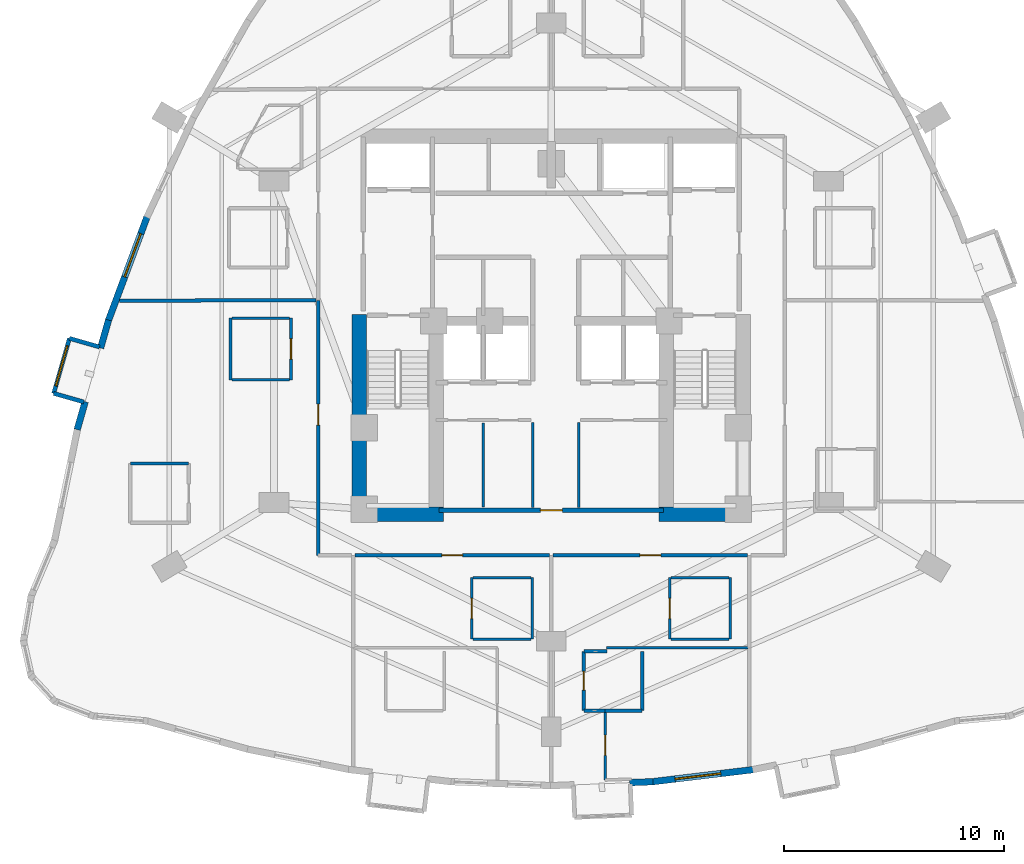
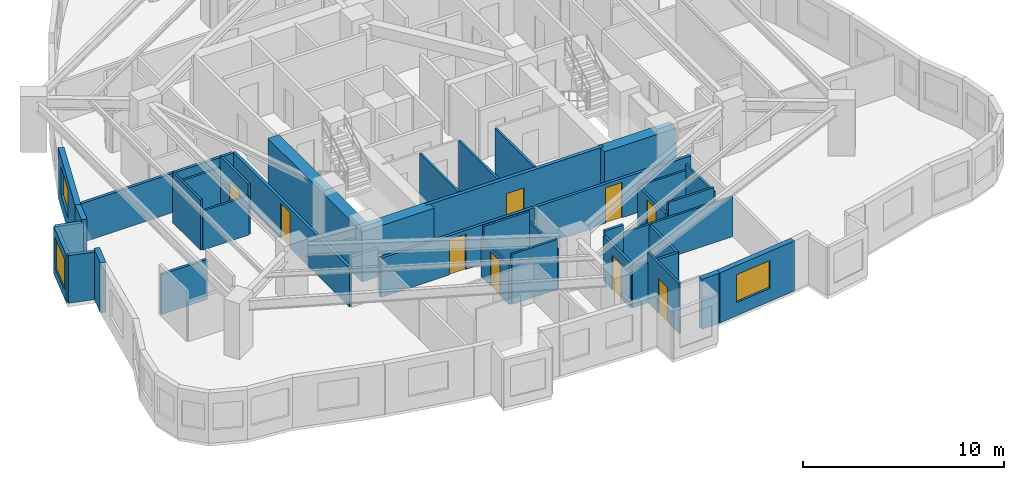
# One storey, part 7 of 13: 39 walls, 9 doors, 3 windows, 12 openings.
"""IFC4 building model written with IfcOpenShell, lengths in metres."""

from ifc_helpers import new_model, si_unit, direction, frame, frame_2d, origin, place, context, subcontext, project, spatial, rectangle, extrude, material, layer, layer_set, type_object, element, fill, save


model = new_model("IFC4")

# Units and contexts
model_context = context("Model", 3, precision=1e-05, world=origin(), true_north=direction((0.0, 1.0)))
body_context = subcontext(model_context, "Body", "Model", "MODEL_VIEW")
ifc_project = project(units=[si_unit("LENGTHUNIT", "METRE"), si_unit("AREAUNIT", "SQUARE_METRE"), si_unit("VOLUMEUNIT", "CUBIC_METRE"), si_unit("PLANEANGLEUNIT", "RADIAN"), si_unit("MASSUNIT", "GRAM", prefix="KILO")], contexts=[model_context])

# Site, building, storey
site_placement = place(None, origin())
site = spatial("IfcSite", under=ifc_project, at=site_placement, CompositionType="ELEMENT")
building_placement = place(site_placement, origin())
building = spatial("IfcBuilding", under=site, at=building_placement, Name="Miruveldt Soraemaru", CompositionType="ELEMENT")
storey_placement = place(building_placement, frame((0.0, 0.0, 87.0)))
storey = spatial("IfcBuildingStorey", under=building, at=storey_placement, Name="L24", CompositionType="ELEMENT", Elevation=87.0)

# Walls
ifc_material_1 = material(Name="White powder-coated aluminium EN AW-6060 T6", Category="aluminium")
ifc_layer_1 = layer(ifc_material_1, 0.18994140625, Name="White powder-coated aluminium EN AW-6060 T6", Category="aluminium")
ifc_layer_set_1 = layer_set([ifc_layer_1], Name="White powder-coated aluminium EN AW-6060 T6")
wall_type_1 = type_object("IfcWallType", Name="WALL-BAY-ALU190", PredefinedType="SOLIDWALL", material=ifc_layer_set_1)
for number, where, z_axis, x_axis, name in (
    (1, (23.470703125, 42.86962890625, 0.0), (0.0, 0.0, 1.0), (-0.961452801096, 0.274970018845, 0.0), "L24 Bay Window Side Cheek 1L"),
    (2, (21.3857421875, 40.76171875, 0.0), (0.0, 0.0, 1.0), (0.961452801096, -0.274970018845, 0.0), "L24 Bay Window Side Cheek 1R"),
):
    element("IfcWall", number, at=place(storey_placement, frame(where, z_axis=z_axis, x_axis=x_axis)), inside=storey, type_object=wall_type_1, Name=name, PredefinedType="SOLIDWALL", context=body_context, shape_type="SweptSolid", body=[
        extrude(rectangle(XDim=1.425048828125, YDim=0.18994140625, at=frame_2d((0.71240234375, 0.0))), origin(), (0.0, 0.0, 1.0), 2.89990234375),
    ])

# Wall, opening, window
wall_1_placement = place(storey_placement, frame((22.1005859375, 43.261474609375, 0.0), z_axis=(0.0, 0.0, 1.0), x_axis=(-0.274944358644, -0.961460139397, 0.0)))
wall_1 = element("IfcWall", 3, at=wall_1_placement, inside=storey, type_object=wall_type_1, Name="L24 Bay Window Front Frame 1", PredefinedType="SOLIDWALL", context=body_context, shape_type="SweptSolid", body=[
    extrude(rectangle(XDim=2.599853515625, YDim=0.18994140625, at=frame_2d((1.2998046875, 0.0))), origin(), (0.0, 0.0, 1.0), 2.89990234375),
])
opening_1_placement = place(wall_1_placement, frame((0.35009765625, 0.0, 0.550048828125)))
opening_1 = element("IfcOpeningElement", 4, at=opening_1_placement, cuts=wall_1, Name="Opening WN-6", PredefinedType="OPENING", context=body_context, shape_type="SweptSolid", body=[
    extrude(rectangle(XDim=1.89990234375, YDim=1.85009765625, at=frame_2d((0.949951171875, 0.925048828125))), frame((0.0, 0.10498046875, 0.0), z_axis=(0.0, -1.0, 0.0), x_axis=(1.0, 0.0, 0.0)), (0.0, 0.0, 1.0), 0.2099609375),
])
ifc_material_2 = material(Name="Triple low-e insulated glazing", Category="glass")
window_type_1 = type_object("IfcWindowType", Name="WIN-BAYW-1900x1850", PartitioningType="SINGLE_PANEL", PredefinedType="WINDOW", material=ifc_material_2)
window_1_placement = place(opening_1_placement, origin())
window_1 = element("IfcWindow", 5, at=window_1_placement, inside=storey, type_object=window_type_1, Name="L24 Projecting Bay Window 1", OverallHeight=1.85009765625, OverallWidth=1.89990234375, PartitioningType="SINGLE_PANEL", PredefinedType="WINDOW", context=body_context, shape_type="SweptSolid", body=[
    extrude(rectangle(XDim=1.89990234375, YDim=1.85009765625, at=frame_2d((0.949951171875, 0.925048828125))), frame((0.0, 0.030029296875, 0.0), z_axis=(0.0, -1.0, 0.0), x_axis=(1.0, 0.0, 0.0)), (0.0, 0.0, 1.0), 0.06005859375),
])
fill(opening_1, window_1)

# Walls
ifc_material_3 = material(Name="Concrete C80/95 (80 MPa)", Category="concrete")
ifc_layer_2 = layer(ifc_material_3, 0.64990234375, Name="Concrete C80/95 (80 MPa)", Category="concrete")
ifc_layer_set_2 = layer_set([ifc_layer_2], Name="Concrete C80/95 (80 MPa)")
wall_type_2 = type_object("IfcWallType", Name="WALL-CW-650", PredefinedType="SHEAR", material=ifc_layer_set_2)
for number, where, z_axis, x_axis, name in (
    (6, (34.949951171875, 35.27490234375, 0.0), (0.0, 0.0, 1.0), (1.0, 0.0, 0.0), "L24 Central Core Shear Wall S1"),
    (7, (48.89990234375, 35.27490234375, 0.0), (0.0, 0.0, 1.0), (1.0, 0.0, 0.0), "L24 Central Core Shear Wall S2"),
):
    element("IfcWall", number, at=place(storey_placement, frame(where, z_axis=z_axis, x_axis=x_axis)), inside=storey, type_object=wall_type_2, Name=name, PredefinedType="SHEAR", context=body_context, shape_type="SweptSolid", body=[
        extrude(rectangle(XDim=4.150146484375, YDim=0.64990234375, at=frame_2d((2.0751953125, 0.0))), origin(), (0.0, 0.0, 1.0), 3.050048828125),
    ])
wall_2_placement = place(storey_placement, frame((35.27490234375, 34.949951171875, 0.0), z_axis=(0.0, 0.0, 1.0), x_axis=(0.0, 1.0, 0.0)))
element("IfcWall", 8, at=wall_2_placement, inside=storey, type_object=wall_type_2, Name="L24 Central Core Shear Wall W1", PredefinedType="SHEAR", context=body_context, shape_type="SweptSolid", body=[
    extrude(rectangle(XDim=9.400146484375, YDim=0.64990234375, at=frame_2d((4.7001953125, 0.0))), origin(), (0.0, 0.0, 1.0), 3.050048828125),
])

# Wall, opening, window
ifc_material_4 = material(Name="Precast concrete C45/55 (45 MPa)", Category="concrete")
ifc_layer_3 = layer(ifc_material_4, 0.300048828125, Name="Precast concrete C45/55 (45 MPa)", Category="concrete")
ifc_layer_set_3 = layer_set([ifc_layer_3], Name="Precast concrete C45/55 (45 MPa)")
wall_type_3 = type_object("IfcWallType", Name="WALL-EXT-PC300", PredefinedType="SOLIDWALL", material=ifc_layer_set_3)
wall_3_placement = place(storey_placement, frame((25.64208984375, 48.822998046875, 0.0), z_axis=(0.0, 0.0, 1.0), x_axis=(-0.349004677573, -0.937120982068, 0.0)))
wall_3 = element("IfcWall", 9, at=wall_3_placement, inside=storey, type_object=wall_type_3, Name="L24 Precast Concrete Facade Wall 12", PredefinedType="SOLIDWALL", context=body_context, shape_type="SweptSolid", body=[
    extrude(rectangle(XDim=5.116455078125, YDim=0.300048828125, at=frame_2d((2.55810546875, 0.0))), origin(), (0.0, 0.0, 1.0), 3.050048828125),
])
opening_2_placement = place(wall_3_placement, frame((0.85400390625, 0.0, 0.800048828125)))
opening_2 = element("IfcOpeningElement", 10, at=opening_2_placement, cuts=wall_3, Name="Opening WN-1", PredefinedType="OPENING", context=body_context, shape_type="SweptSolid", body=[
    extrude(rectangle(XDim=2.10009765625, YDim=1.699951171875, at=frame_2d((1.050048828125, 0.85009765625))), frame((0.0, 0.16015625, 0.0), z_axis=(0.0, -1.0, 0.0), x_axis=(1.0, 0.0, 0.0)), (0.0, 0.0, 1.0), 0.320068359375),
])
window_type_2 = type_object("IfcWindowType", Name="WIN-PUNCH-2100x1700", PartitioningType="SINGLE_PANEL", PredefinedType="WINDOW", material=ifc_material_2)
window_2_placement = place(opening_2_placement, origin())
window_2 = element("IfcWindow", 11, at=window_2_placement, inside=storey, type_object=window_type_2, Name="L24 Punched Triple-Glazed Window 12.1", OverallHeight=1.699951171875, OverallWidth=2.10009765625, PartitioningType="SINGLE_PANEL", PredefinedType="WINDOW", context=body_context, shape_type="SweptSolid", body=[
    extrude(rectangle(XDim=2.10009765625, YDim=1.699951171875, at=frame_2d((1.050048828125, 0.85009765625))), frame((0.0, 0.030029296875, 0.0), z_axis=(0.0, -1.0, 0.0), x_axis=(1.0, 0.0, 0.0)), (0.0, 0.0, 1.0), 0.06005859375),
])
fill(opening_2, window_2)

# Walls
wall_4_placement = place(storey_placement, frame((23.87841796875, 44.0947265625, 0.0), z_axis=(0.0, 0.0, 1.0), x_axis=(-0.275038689403, -0.961433159056, 0.0)))
element("IfcWall", 12, at=wall_4_placement, inside=storey, type_object=wall_type_3, Name="L24 Precast Pier Wall 13A", PredefinedType="SOLIDWALL", context=body_context, shape_type="SweptSolid", body=[
    extrude(rectangle(XDim=1.320068359375, YDim=0.300048828125, at=frame_2d((0.66015625, 0.0))), origin(), (0.0, 0.0, 1.0), 3.050048828125),
])
wall_5_placement = place(storey_placement, frame((22.81689453125, 40.383544921875, 0.0), z_axis=(0.0, 0.0, 1.0), x_axis=(-0.274867705924, -0.96148205612, 0.0)))
element("IfcWall", 13, at=wall_5_placement, inside=storey, type_object=wall_type_3, Name="L24 Precast Pier Wall 13B", PredefinedType="SOLIDWALL", context=body_context, shape_type="SweptSolid", body=[
    extrude(rectangle(XDim=1.31982421875, YDim=0.300048828125, at=frame_2d((0.659912109375, 0.0))), origin(), (0.0, 0.0, 1.0), 3.050048828125),
])
wall_6_placement = place(storey_placement, frame((47.564697265625, 23.071533203125, 0.0), z_axis=(0.0, 0.0, 1.0), x_axis=(0.99920059166, 0.039977213831, 0.0)))
element("IfcWall", 14, at=wall_6_placement, inside=storey, type_object=wall_type_3, Name="L24 Precast Pier Wall 25B", PredefinedType="SOLIDWALL", context=body_context, shape_type="SweptSolid", body=[
    extrude(rectangle(XDim=1.0625, YDim=0.300048828125, at=frame_2d((0.53125, 0.0))), origin(), (0.0, 0.0, 1.0), 3.050048828125),
])

# Wall, opening, window
wall_7_placement = place(storey_placement, frame((48.556640625, 23.1083984375, 0.0), z_axis=(0.0, 0.0, 1.0), x_axis=(0.992871670175, 0.11918828199, 0.0)))
wall_7 = element("IfcWall", 15, at=wall_7_placement, inside=storey, type_object=wall_type_3, Name="L24 Precast Concrete Facade Wall 26", PredefinedType="SOLIDWALL", context=body_context, shape_type="SweptSolid", body=[
    extrude(rectangle(XDim=4.69482421875, YDim=0.300048828125, at=frame_2d((2.347412109375, 0.0))), origin(), (0.0, 0.0, 1.0), 3.050048828125),
])
opening_3_placement = place(wall_7_placement, frame((1.072998046875, 0.0, 0.800048828125)))
opening_3 = element("IfcOpeningElement", 16, at=opening_3_placement, cuts=wall_7, Name="Opening WN-1", PredefinedType="OPENING", context=body_context, shape_type="SweptSolid", body=[
    extrude(rectangle(XDim=2.10009765625, YDim=1.699951171875, at=frame_2d((1.050048828125, 0.85009765625))), frame((0.0, 0.16015625, 0.0), z_axis=(0.0, -1.0, 0.0), x_axis=(1.0, 0.0, 0.0)), (0.0, 0.0, 1.0), 0.320068359375),
])
window_3_placement = place(opening_3_placement, origin())
window_3 = element("IfcWindow", 17, at=window_3_placement, inside=storey, type_object=window_type_2, Name="L24 Punched Triple-Glazed Window 26.1", OverallHeight=1.699951171875, OverallWidth=2.10009765625, PartitioningType="SINGLE_PANEL", PredefinedType="WINDOW", context=body_context, shape_type="SweptSolid", body=[
    extrude(rectangle(XDim=2.10009765625, YDim=1.699951171875, at=frame_2d((1.050048828125, 0.85009765625))), frame((0.0, 0.030029296875, 0.0), z_axis=(0.0, -1.0, 0.0), x_axis=(1.0, 0.0, 0.0)), (0.0, 0.0, 1.0), 0.06005859375),
])
fill(opening_3, window_3)

# Wall, opening, door
ifc_material_5 = material(Name="Gypsum plasterboard lining", Category="gypsum")
ifc_layer_4 = layer(ifc_material_5, 0.1201171875, Name="Gypsum plasterboard lining", Category="gypsum")
ifc_layer_set_4 = layer_set([ifc_layer_4], Name="Gypsum plasterboard lining")
wall_type_4 = type_object("IfcWallType", Name="WALL-INT-P120", PredefinedType="PARTITIONING", material=ifc_layer_set_4)
wall_8_placement = place(storey_placement, frame((46.447021484375, 23.19189453125, 0.0), z_axis=(0.0, 0.0, 1.0), x_axis=(0.000930304272, 0.999999567267, 0.0)))
wall_8 = element("IfcWall", 18, at=wall_8_placement, inside=storey, type_object=wall_type_4, Name="L24 Partition Wall 89", PredefinedType="PARTITIONING", context=body_context, shape_type="SweptSolid", body=[
    extrude(rectangle(XDim=3.149169921875, YDim=0.1201171875, at=frame_2d((1.57470703125, 0.0))), origin(), (0.0, 0.0, 1.0), 3.050048828125),
])
opening_4_placement = place(wall_8_placement, frame((1.114990234375, 0.0, 0.0)))
opening_4 = element("IfcOpeningElement", 19, at=opening_4_placement, cuts=wall_8, Name="Opening D3A", PredefinedType="OPENING", context=body_context, shape_type="SweptSolid", body=[
    extrude(rectangle(XDim=0.919921875, YDim=2.10009765625, at=frame_2d((0.4599609375, 1.050048828125))), frame((0.0, 0.070068359375, 0.0), z_axis=(0.0, -1.0, 0.0), x_axis=(1.0, 0.0, 0.0)), (0.0, 0.0, 1.0), 0.14013671875),
])
ifc_material_6 = material(Name="Anodised aluminium EN AW-6063 T6", Category="aluminium")
door_type_1 = type_object("IfcDoorType", Name="DOOR-INT-920", OperationType="NOTDEFINED", PredefinedType="DOOR", material=ifc_material_6)
door_1_placement = place(opening_4_placement, origin())
door_1 = element("IfcDoor", 20, at=door_1_placement, inside=storey, type_object=door_type_1, Name="L24 Unit 2411 BD1 Door", OperationType="SINGLE_SWING_LEFT", OverallHeight=2.10009765625, OverallWidth=0.919921875, PredefinedType="DOOR", context=body_context, shape_type="SweptSolid", body=[
    extrude(rectangle(XDim=0.919921875, YDim=2.10009765625, at=frame_2d((0.4599609375, 1.050048828125))), frame((0.0, 0.02490234375, 0.0), z_axis=(0.0, -1.0, 0.0), x_axis=(1.0, 0.0, 0.0)), (0.0, 0.0, 1.0), 0.050048828125),
])
fill(opening_4, door_1)

wall_9_placement = place(storey_placement, frame((32.1708984375, 41.3798828125, 0.0), z_axis=(0.0, 0.0, 1.0), x_axis=(0.0, 1.0, 0.0)))
wall_9 = element("IfcWall", 21, at=wall_9_placement, inside=storey, type_object=wall_type_4, Name="L24 Partition Wall 54", PredefinedType="PARTITIONING", context=body_context, shape_type="SweptSolid", body=[
    extrude(rectangle(XDim=2.800048828125, YDim=0.1201171875, at=frame_2d((1.39990234375, 0.0))), origin(), (0.0, 0.0, 1.0), 3.050048828125),
])
opening_5_placement = place(wall_9_placement, frame((0.93994140625, 0.0, 0.0)))
opening_5 = element("IfcOpeningElement", 22, at=opening_5_placement, cuts=wall_9, Name="Opening D3A", PredefinedType="OPENING", context=body_context, shape_type="SweptSolid", body=[
    extrude(rectangle(XDim=0.919921875, YDim=2.10009765625, at=frame_2d((0.4599609375, 1.050048828125))), frame((0.0, 0.070068359375, 0.0), z_axis=(0.0, -1.0, 0.0), x_axis=(1.0, 0.0, 0.0)), (0.0, 0.0, 1.0), 0.14013671875),
])
door_2_placement = place(opening_5_placement, origin())
door_2 = element("IfcDoor", 23, at=door_2_placement, inside=storey, type_object=door_type_1, Name="L24 Unit CL06 KIT Door", OperationType="SINGLE_SWING_LEFT", OverallHeight=2.10009765625, OverallWidth=0.919921875, PredefinedType="DOOR", context=body_context, shape_type="SweptSolid", body=[
    extrude(rectangle(XDim=0.919921875, YDim=2.10009765625, at=frame_2d((0.4599609375, 1.050048828125))), frame((0.0, 0.02490234375, 0.0), z_axis=(0.0, -1.0, 0.0), x_axis=(1.0, 0.0, 0.0)), (0.0, 0.0, 1.0), 0.050048828125),
])
fill(opening_5, door_2)

wall_10_placement = place(storey_placement, frame((40.3798828125, 32.39111328125, 0.0), z_axis=(0.0, 0.0, 1.0), x_axis=(0.0, -1.0, 0.0)))
wall_10 = element("IfcWall", 24, at=wall_10_placement, inside=storey, type_object=wall_type_4, Name="L24 Partition Wall 75", PredefinedType="PARTITIONING", context=body_context, shape_type="SweptSolid", body=[
    extrude(rectangle(XDim=2.800048828125, YDim=0.1201171875, at=frame_2d((1.39990234375, 0.0))), origin(), (0.0, 0.0, 1.0), 2.387939453125),
])
opening_6_placement = place(wall_10_placement, frame((0.93994140625, 0.0, 0.0)))
opening_6 = element("IfcOpeningElement", 25, at=opening_6_placement, cuts=wall_10, Name="Opening D3A", PredefinedType="OPENING", context=body_context, shape_type="SweptSolid", body=[
    extrude(rectangle(XDim=0.919921875, YDim=2.10009765625, at=frame_2d((0.4599609375, 1.050048828125))), frame((0.0, 0.070068359375, 0.0), z_axis=(0.0, -1.0, 0.0), x_axis=(1.0, 0.0, 0.0)), (0.0, 0.0, 1.0), 0.14013671875),
])
door_3_placement = place(opening_6_placement, origin())
door_3 = element("IfcDoor", 26, at=door_3_placement, inside=storey, type_object=door_type_1, Name="L24 Unit 2410 KIT Door", OperationType="SINGLE_SWING_RIGHT", OverallHeight=2.10009765625, OverallWidth=0.919921875, PredefinedType="DOOR", context=body_context, shape_type="SweptSolid", body=[
    extrude(rectangle(XDim=0.919921875, YDim=2.10009765625, at=frame_2d((0.4599609375, 1.050048828125))), frame((0.0, 0.02490234375, 0.0), z_axis=(0.0, -1.0, 0.0), x_axis=(1.0, 0.0, 0.0)), (0.0, 0.0, 1.0), 0.050048828125),
])
fill(opening_6, door_3)

wall_11_placement = place(storey_placement, frame((49.3798828125, 32.39111328125, 0.0), z_axis=(0.0, 0.0, 1.0), x_axis=(0.0, -1.0, 0.0)))
wall_11 = element("IfcWall", 27, at=wall_11_placement, inside=storey, type_object=wall_type_4, Name="L24 Partition Wall 87", PredefinedType="PARTITIONING", context=body_context, shape_type="SweptSolid", body=[
    extrude(rectangle(XDim=2.800048828125, YDim=0.1201171875, at=frame_2d((1.39990234375, 0.0))), origin(), (0.0, 0.0, 1.0), 2.387939453125),
])
opening_7_placement = place(wall_11_placement, frame((0.93994140625, 0.0, 0.0)))
opening_7 = element("IfcOpeningElement", 28, at=opening_7_placement, cuts=wall_11, Name="Opening D3A", PredefinedType="OPENING", context=body_context, shape_type="SweptSolid", body=[
    extrude(rectangle(XDim=0.919921875, YDim=2.10009765625, at=frame_2d((0.4599609375, 1.050048828125))), frame((0.0, 0.070068359375, 0.0), z_axis=(0.0, -1.0, 0.0), x_axis=(1.0, 0.0, 0.0)), (0.0, 0.0, 1.0), 0.14013671875),
])
door_4_placement = place(opening_7_placement, origin())
door_4 = element("IfcDoor", 29, at=door_4_placement, inside=storey, type_object=door_type_1, Name="L24 Unit 2411 KIT Door", OperationType="SINGLE_SWING_RIGHT", OverallHeight=2.10009765625, OverallWidth=0.919921875, PredefinedType="DOOR", context=body_context, shape_type="SweptSolid", body=[
    extrude(rectangle(XDim=0.919921875, YDim=2.10009765625, at=frame_2d((0.4599609375, 1.050048828125))), frame((0.0, 0.02490234375, 0.0), z_axis=(0.0, -1.0, 0.0), x_axis=(1.0, 0.0, 0.0)), (0.0, 0.0, 1.0), 0.050048828125),
])
fill(opening_7, door_4)

# Walls
wall_12_placement = place(storey_placement, frame((46.510009765625, 29.199951171875, 0.0), z_axis=(0.0, 0.0, 1.0), x_axis=(1.0, 0.0, 0.0)))
element("IfcWall", 30, at=wall_12_placement, inside=storey, type_object=wall_type_4, Name="L24 Partition Wall 90", PredefinedType="PARTITIONING", context=body_context, shape_type="SweptSolid", body=[
    extrude(rectangle(XDim=6.429931640625, YDim=0.1201171875, at=frame_2d((3.21484375, 0.0))), origin(), (0.0, 0.0, 1.0), 2.43798828125),
])
for number, where, z_axis, x_axis, name in (
    (31, (43.14990234375, 35.580078125, 0.0), (0.0, 0.0, 1.0), (0.0, 1.0, 0.0), "L24 Core Compartment Wall SP-WS"),
    (32, (45.25, 35.580078125, 0.0), (0.0, 0.0, 1.0), (0.0, 1.0, 0.0), "L24 Core Compartment Wall SP-ES"),
):
    element("IfcWall", number, at=place(storey_placement, frame(where, z_axis=z_axis, x_axis=x_axis)), inside=storey, type_object=wall_type_4, Name=name, PredefinedType="PARTITIONING", context=body_context, shape_type="SweptSolid", body=[
        extrude(rectangle(XDim=3.869873046875, YDim=0.1201171875, at=frame_2d((1.93505859375, 0.0))), origin(), (0.0, 0.0, 1.0), 3.050048828125),
    ])
wall_13_placement = place(storey_placement, frame((40.89990234375, 35.60009765625, 0.0), z_axis=(0.0, 0.0, 1.0), x_axis=(0.0, 1.0, 0.0)))
element("IfcWall", 33, at=wall_13_placement, inside=storey, type_object=wall_type_4, Name="L24 Core Compartment Wall CW1-V", PredefinedType="PARTITIONING", context=body_context, shape_type="SweptSolid", body=[
    extrude(rectangle(XDim=3.81982421875, YDim=0.1201171875, at=frame_2d((1.909912109375, 0.0))), origin(), (0.0, 0.0, 1.0), 3.050048828125),
])
wall_14_placement = place(storey_placement, frame((29.4208984375, 44.179931640625, 0.0), z_axis=(0.0, 0.0, 1.0), x_axis=(0.0, -1.0, 0.0)))
element("IfcWall", 34, at=wall_14_placement, inside=storey, type_object=wall_type_4, Name="L24 Partition Wall 56", PredefinedType="PARTITIONING", context=body_context, shape_type="SweptSolid", body=[
    extrude(rectangle(XDim=2.800048828125, YDim=0.1201171875, at=frame_2d((1.39990234375, 0.0))), origin(), (0.0, 0.0, 1.0), 3.050048828125),
])
wall_15_placement = place(storey_placement, frame((43.1298828125, 29.591064453125, 0.0), z_axis=(0.0, 0.0, 1.0), x_axis=(0.0, 1.0, 0.0)))
element("IfcWall", 35, at=wall_15_placement, inside=storey, type_object=wall_type_4, Name="L24 Partition Wall 73", PredefinedType="PARTITIONING", context=body_context, shape_type="SweptSolid", body=[
    extrude(rectangle(XDim=2.800048828125, YDim=0.1201171875, at=frame_2d((1.39990234375, 0.0))), origin(), (0.0, 0.0, 1.0), 2.387939453125),
])
wall_16_placement = place(storey_placement, frame((52.1298828125, 29.591064453125, 0.0), z_axis=(0.0, 0.0, 1.0), x_axis=(0.0, 1.0, 0.0)))
element("IfcWall", 36, at=wall_16_placement, inside=storey, type_object=wall_type_4, Name="L24 Partition Wall 85", PredefinedType="PARTITIONING", context=body_context, shape_type="SweptSolid", body=[
    extrude(rectangle(XDim=2.800048828125, YDim=0.1201171875, at=frame_2d((1.39990234375, 0.0))), origin(), (0.0, 0.0, 1.0), 2.738037109375),
])
for number, where, z_axis, x_axis, name in (
    (37, (43.070068359375, 32.39111328125, 0.0), (0.0, 0.0, 1.0), (-1.0, 0.0, 0.0), "L24 Partition Wall 74"),
    (38, (40.43994140625, 29.591064453125, 0.0), (0.0, 0.0, 1.0), (1.0, 0.0, 0.0), "L24 Partition Wall 76"),
):
    element("IfcWall", number, at=place(storey_placement, frame(where, z_axis=z_axis, x_axis=x_axis)), inside=storey, type_object=wall_type_4, Name=name, PredefinedType="PARTITIONING", context=body_context, shape_type="SweptSolid", body=[
        extrude(rectangle(XDim=2.630126953125, YDim=0.1201171875, at=frame_2d((1.31494140625, 0.0))), origin(), (0.0, 0.0, 1.0), 3.050048828125),
    ])
wall_17_placement = place(storey_placement, frame((52.070068359375, 32.39111328125, 0.0), z_axis=(0.0, 0.0, 1.0), x_axis=(-1.0, 0.0, 0.0)))
element("IfcWall", 39, at=wall_17_placement, inside=storey, type_object=wall_type_4, Name="L24 Partition Wall 86", PredefinedType="PARTITIONING", context=body_context, shape_type="SweptSolid", body=[
    extrude(rectangle(XDim=2.630126953125, YDim=0.1201171875, at=frame_2d((1.31494140625, 0.0))), origin(), (0.0, 0.0, 1.0), 2.387939453125),
])
wall_18_placement = place(storey_placement, frame((49.43994140625, 29.591064453125, 0.0), z_axis=(0.0, 0.0, 1.0), x_axis=(1.0, 0.0, 0.0)))
element("IfcWall", 40, at=wall_18_placement, inside=storey, type_object=wall_type_4, Name="L24 Partition Wall 88", PredefinedType="PARTITIONING", context=body_context, shape_type="SweptSolid", body=[
    extrude(rectangle(XDim=2.630126953125, YDim=0.1201171875, at=frame_2d((1.31494140625, 0.0))), origin(), (0.0, 0.0, 1.0), 3.050048828125),
])
for number, where, z_axis, x_axis, name in (
    (41, (32.111083984375, 44.179931640625, 0.0), (0.0, 0.0, 1.0), (-1.0, 0.0, 0.0), "L24 Partition Wall 55"),
    (42, (29.48095703125, 41.3798828125, 0.0), (0.0, 0.0, 1.0), (1.0, 0.0, 0.0), "L24 Partition Wall 57"),
):
    element("IfcWall", number, at=place(storey_placement, frame(where, z_axis=z_axis, x_axis=x_axis)), inside=storey, type_object=wall_type_4, Name=name, PredefinedType="PARTITIONING", context=body_context, shape_type="SweptSolid", body=[
        extrude(rectangle(XDim=2.630126953125, YDim=0.1201171875, at=frame_2d((1.31494140625, 0.0))), origin(), (0.0, 0.0, 1.0), 2.387939453125),
    ])

# Wall, opening, door
ifc_layer_5 = layer(ifc_material_5, 0.14990234375, Name="Gypsum plasterboard lining", Category="gypsum")
ifc_layer_set_5 = layer_set([ifc_layer_5], Name="Gypsum plasterboard lining")
wall_type_5 = type_object("IfcWallType", Name="WALL-INT-PLUMB", PredefinedType="PLUMBINGWALL", material=ifc_layer_set_5)
wall_19_placement = place(storey_placement, frame((45.47998046875, 29.041015625, 0.0), z_axis=(0.0, 0.0, 1.0), x_axis=(0.0, -1.0, 0.0)))
wall_19 = element("IfcWall", 43, at=wall_19_placement, inside=storey, type_object=wall_type_5, Name="L24 Partition Wall 83", PredefinedType="PLUMBINGWALL", context=body_context, shape_type="SweptSolid", body=[
    extrude(rectangle(XDim=2.699951171875, YDim=0.14990234375, at=frame_2d((1.35009765625, 0.0))), origin(), (0.0, 0.0, 1.0), 2.738037109375),
])
opening_8_placement = place(wall_19_placement, frame((0.909912109375, 0.0, 0.0)))
opening_8 = element("IfcOpeningElement", 44, at=opening_8_placement, cuts=wall_19, Name="Opening FD3", PredefinedType="OPENING", context=body_context, shape_type="SweptSolid", body=[
    extrude(rectangle(XDim=0.85009765625, YDim=2.10009765625, at=frame_2d((0.425048828125, 1.050048828125))), frame((0.0, 0.0849609375, 0.0), z_axis=(0.0, -1.0, 0.0), x_axis=(1.0, 0.0, 0.0)), (0.0, 0.0, 1.0), 0.169921875),
])
door_type_2 = type_object("IfcDoorType", Name="DOOR-FD3-850", OperationType="NOTDEFINED", PredefinedType="DOOR", material=ifc_material_6)
door_5_placement = place(opening_8_placement, origin())
door_5 = element("IfcDoor", 45, at=door_5_placement, inside=storey, type_object=door_type_2, Name="L24 Unit 2411 BTH Door", OperationType="SINGLE_SWING_LEFT", OverallHeight=2.10009765625, OverallWidth=0.85009765625, PredefinedType="DOOR", context=body_context, shape_type="SweptSolid", body=[
    extrude(rectangle(XDim=0.85009765625, YDim=2.10009765625, at=frame_2d((0.425048828125, 1.050048828125))), frame((0.0, 0.02490234375, 0.0), z_axis=(0.0, -1.0, 0.0), x_axis=(1.0, 0.0, 0.0)), (0.0, 0.0, 1.0), 0.050048828125),
])
fill(opening_8, door_5)

# Walls
wall_20_placement = place(storey_placement, frame((48.1298828125, 26.341064453125, 0.0), z_axis=(0.0, 0.0, 1.0), x_axis=(0.0, 1.0, 0.0)))
element("IfcWall", 46, at=wall_20_placement, inside=storey, type_object=wall_type_5, Name="L24 Partition Wall 92", PredefinedType="PLUMBINGWALL", context=body_context, shape_type="SweptSolid", body=[
    extrude(rectangle(XDim=2.699951171875, YDim=0.14990234375, at=frame_2d((1.35009765625, 0.0))), origin(), (0.0, 0.0, 1.0), 2.43798828125),
])
wall_21_placement = place(storey_placement, frame((27.52099609375, 37.580078125, 0.0), z_axis=(0.0, 0.0, 1.0), x_axis=(-1.0, 0.0, 0.0)))
element("IfcWall", 47, at=wall_21_placement, inside=storey, type_object=wall_type_5, Name="L24 Partition Wall 51", PredefinedType="PLUMBINGWALL", context=body_context, shape_type="SweptSolid", body=[
    extrude(rectangle(XDim=2.64990234375, YDim=0.14990234375, at=frame_2d((1.324951171875, 0.0))), origin(), (0.0, 0.0, 1.0), 2.43798828125),
])
wall_22_placement = place(storey_placement, frame((46.449951171875, 26.341064453125, 0.0), z_axis=(0.0, 0.0, 1.0), x_axis=(1.0, 0.0, 0.0)))
element("IfcWall", 48, at=wall_22_placement, inside=storey, type_object=wall_type_5, Name="L24 Partition Wall 91", PredefinedType="PLUMBINGWALL", context=body_context, shape_type="SweptSolid", body=[
    extrude(rectangle(XDim=1.679931640625, YDim=0.14990234375, at=frame_2d((0.83984375, 0.0))), origin(), (0.0, 0.0, 1.0), 2.43798828125),
])
wall_23_placement = place(storey_placement, frame((46.5400390625, 29.041015625, 0.0), z_axis=(0.0, 0.0, 1.0), x_axis=(-1.0, 0.0, 0.0)))
element("IfcWall", 49, at=wall_23_placement, inside=storey, type_object=wall_type_5, Name="L24 Partition Wall 82", PredefinedType="PLUMBINGWALL", context=body_context, shape_type="SweptSolid", body=[
    extrude(rectangle(XDim=1.06005859375, YDim=0.14990234375, at=frame_2d((0.530029296875, 0.0))), origin(), (0.0, 0.0, 1.0), 3.050048828125),
])
wall_24_placement = place(storey_placement, frame((45.47998046875, 26.341064453125, 0.0), z_axis=(0.0, 0.0, 1.0), x_axis=(1.0, 0.0, 0.0)))
element("IfcWall", 50, at=wall_24_placement, inside=storey, type_object=wall_type_5, Name="L24 Partition Wall 84", PredefinedType="PLUMBINGWALL", context=body_context, shape_type="SweptSolid", body=[
    extrude(rectangle(XDim=0.969970703125, YDim=0.14990234375, at=frame_2d((0.48486328125, 0.0))), origin(), (0.0, 0.0, 1.0), 2.43798828125),
])

# Wall, opening, door
ifc_material_7 = material(Name="Concrete C40/50 (40 MPa)", Category="concrete")
ifc_layer_6 = layer(ifc_material_7, 0.159912109375, Name="Concrete C40/50 (40 MPa)", Category="concrete")
ifc_layer_set_6 = layer_set([ifc_layer_6], Name="Concrete C40/50 (40 MPa)")
wall_type_6 = type_object("IfcWallType", Name="WALL-INT-RC160", PredefinedType="SOLIDWALL", material=ifc_layer_set_6)
wall_25_placement = place(storey_placement, frame((33.39990234375, 44.993896484375, 0.0), z_axis=(0.0, 0.0, 1.0), x_axis=(0.0, -1.0, 0.0)))
wall_25 = element("IfcWall", 51, at=wall_25_placement, inside=storey, type_object=wall_type_6, Name="L24 Partition Wall 4", PredefinedType="SOLIDWALL", context=body_context, shape_type="SweptSolid", body=[
    extrude(rectangle(XDim=11.593994140625, YDim=0.159912109375, at=frame_2d((5.796875, 0.0))), origin(), (0.0, 0.0, 1.0), 2.387939453125),
])
opening_9_placement = place(wall_25_placement, frame((4.719970703125, 0.0, 0.0)))
opening_9 = element("IfcOpeningElement", 52, at=opening_9_placement, cuts=wall_25, Name="Opening FD2", PredefinedType="OPENING", context=body_context, shape_type="SweptSolid", body=[
    extrude(rectangle(XDim=0.949951171875, YDim=2.14990234375, at=frame_2d((0.47509765625, 1.074951171875))), frame((0.0, 0.08984375, 0.0), z_axis=(0.0, -1.0, 0.0), x_axis=(1.0, 0.0, 0.0)), (0.0, 0.0, 1.0), 0.179931640625),
])
door_type_3 = type_object("IfcDoorType", Name="DOOR-FD2-950", OperationType="NOTDEFINED", PredefinedType="DOOR", material=ifc_material_6)
door_6_placement = place(opening_9_placement, origin())
door_6 = element("IfcDoor", 53, at=door_6_placement, inside=storey, type_object=door_type_3, Name="L24 Unit CL06 Entrance Fire Door", OperationType="SINGLE_SWING_LEFT", OverallHeight=2.14990234375, OverallWidth=0.949951171875, PredefinedType="DOOR", context=body_context, shape_type="SweptSolid", body=[
    extrude(rectangle(XDim=0.949951171875, YDim=2.14990234375, at=frame_2d((0.47509765625, 1.074951171875))), frame((0.0, 0.02490234375, 0.0), z_axis=(0.0, -1.0, 0.0), x_axis=(1.0, 0.0, 0.0)), (0.0, 0.0, 1.0), 0.050048828125),
])
fill(opening_9, door_6)

wall_26_placement = place(storey_placement, frame((44.080078125, 33.39990234375, 0.0), z_axis=(0.0, 0.0, 1.0), x_axis=(1.0, 0.0, 0.0)))
wall_26 = element("IfcWall", 54, at=wall_26_placement, inside=storey, type_object=wall_type_6, Name="L24 Partition Wall 13", PredefinedType="SOLIDWALL", context=body_context, shape_type="SweptSolid", body=[
    extrude(rectangle(XDim=8.83984375, YDim=0.159912109375, at=frame_2d((4.419921875, 0.0))), origin(), (0.0, 0.0, 1.0), 2.387939453125),
])
opening_10_placement = place(wall_26_placement, frame((3.945068359375, 0.0, 0.0)))
opening_10 = element("IfcOpeningElement", 55, at=opening_10_placement, cuts=wall_26, Name="Opening FD2", PredefinedType="OPENING", context=body_context, shape_type="SweptSolid", body=[
    extrude(rectangle(XDim=0.949951171875, YDim=2.14990234375, at=frame_2d((0.47509765625, 1.074951171875))), frame((0.0, 0.08984375, 0.0), z_axis=(0.0, -1.0, 0.0), x_axis=(1.0, 0.0, 0.0)), (0.0, 0.0, 1.0), 0.179931640625),
])
door_7_placement = place(opening_10_placement, origin())
door_7 = element("IfcDoor", 56, at=door_7_placement, inside=storey, type_object=door_type_3, Name="L24 Unit 2411 Entrance Fire Door", OperationType="SINGLE_SWING_RIGHT", OverallHeight=2.14990234375, OverallWidth=0.949951171875, PredefinedType="DOOR", context=body_context, shape_type="SweptSolid", body=[
    extrude(rectangle(XDim=0.949951171875, YDim=2.14990234375, at=frame_2d((0.47509765625, 1.074951171875))), frame((0.0, 0.02490234375, 0.0), z_axis=(0.0, -1.0, 0.0), x_axis=(1.0, 0.0, 0.0)), (0.0, 0.0, 1.0), 0.050048828125),
])
fill(opening_10, door_7)

wall_27_placement = place(storey_placement, frame((35.0830078125, 33.39990234375, 0.0), z_axis=(0.0, 0.0, 1.0), x_axis=(1.0, 0.0, 0.0)))
wall_27 = element("IfcWall", 57, at=wall_27_placement, inside=storey, type_object=wall_type_6, Name="L24 Partition Wall 12", PredefinedType="SOLIDWALL", context=body_context, shape_type="SweptSolid", body=[
    extrude(rectangle(XDim=8.833984375, YDim=0.159912109375, at=frame_2d((4.4169921875, 0.0))), origin(), (0.0, 0.0, 1.0), 2.387939453125),
])
opening_11_placement = place(wall_27_placement, frame((3.94189453125, 0.0, 0.0)))
opening_11 = element("IfcOpeningElement", 58, at=opening_11_placement, cuts=wall_27, Name="Opening FD2", PredefinedType="OPENING", context=body_context, shape_type="SweptSolid", body=[
    extrude(rectangle(XDim=0.949951171875, YDim=2.14990234375, at=frame_2d((0.47509765625, 1.074951171875))), frame((0.0, 0.08984375, 0.0), z_axis=(0.0, -1.0, 0.0), x_axis=(1.0, 0.0, 0.0)), (0.0, 0.0, 1.0), 0.179931640625),
])
door_8_placement = place(opening_11_placement, origin())
door_8 = element("IfcDoor", 59, at=door_8_placement, inside=storey, type_object=door_type_3, Name="L24 Unit 2410 Entrance Fire Door", OperationType="SINGLE_SWING_LEFT", OverallHeight=2.14990234375, OverallWidth=0.949951171875, PredefinedType="DOOR", context=body_context, shape_type="SweptSolid", body=[
    extrude(rectangle(XDim=0.949951171875, YDim=2.14990234375, at=frame_2d((0.47509765625, 1.074951171875))), frame((0.0, 0.02490234375, 0.0), z_axis=(0.0, -1.0, 0.0), x_axis=(1.0, 0.0, 0.0)), (0.0, 0.0, 1.0), 0.050048828125),
])
fill(opening_11, door_8)

# Wall
wall_28_placement = place(storey_placement, frame((24.384033203125, 44.971923828125, 0.0), z_axis=(0.0, 0.0, 1.0), x_axis=(0.999995057504, 0.003144036734, 0.0)))
element("IfcWall", 60, at=wall_28_placement, inside=storey, type_object=wall_type_6, Name="L24 Partition Wall 49", PredefinedType="SOLIDWALL", context=body_context, shape_type="SweptSolid", body=[
    extrude(rectangle(XDim=8.929931640625, YDim=0.159912109375, at=frame_2d((4.46484375, 0.0))), origin(), (0.0, 0.0, 1.0), 2.387939453125),
])

# Wall, opening, door
ifc_layer_7 = layer(ifc_material_7, 0.199951171875, Name="Concrete C40/50 (40 MPa)", Category="concrete")
ifc_layer_set_7 = layer_set([ifc_layer_7], Name="Concrete C40/50 (40 MPa)")
wall_type_7 = type_object("IfcWallType", Name="WALL-INT-RC200", PredefinedType="SOLIDWALL", material=ifc_layer_set_7)
wall_29_placement = place(storey_placement, frame((38.89990234375, 35.449951171875, 0.0), z_axis=(0.0, 0.0, 1.0), x_axis=(1.0, 0.0, 0.0)))
wall_29 = element("IfcWall", 61, at=wall_29_placement, inside=storey, type_object=wall_type_7, Name="L24 Core Compartment Wall CS-S", PredefinedType="SOLIDWALL", context=body_context, shape_type="SweptSolid", body=[
    extrude(rectangle(XDim=10.2001953125, YDim=0.199951171875, at=frame_2d((5.10009765625, 0.0))), origin(), (0.0, 0.0, 1.0), 3.050048828125),
])
opening_12_placement = place(wall_29_placement, frame((4.60009765625, 0.0, 0.0)))
opening_12 = element("IfcOpeningElement", 62, at=opening_12_placement, cuts=wall_29, Name="Opening FD1", PredefinedType="OPENING", context=body_context, shape_type="SweptSolid", body=[
    extrude(rectangle(XDim=1.0, YDim=2.14990234375, at=frame_2d((0.5, 1.074951171875))), frame((0.0, 0.10986328125, 0.0), z_axis=(0.0, -1.0, 0.0), x_axis=(1.0, 0.0, 0.0)), (0.0, 0.0, 1.0), 0.219970703125),
])
door_type_4 = type_object("IfcDoorType", Name="DOOR-FD1-1000", OperationType="NOTDEFINED", PredefinedType="DOOR", material=ifc_material_6)
door_9_placement = place(opening_12_placement, origin())
door_9 = element("IfcDoor", 63, at=door_9_placement, inside=storey, type_object=door_type_4, Name="L24 Core South Lobby Fire Door", OperationType="SINGLE_SWING_LEFT", OverallHeight=2.14990234375, OverallWidth=1.0, PredefinedType="DOOR", context=body_context, shape_type="SweptSolid", body=[
    extrude(rectangle(XDim=1.0, YDim=2.14990234375, at=frame_2d((0.5, 1.074951171875))), frame((0.0, 0.02490234375, 0.0), z_axis=(0.0, -1.0, 0.0), x_axis=(1.0, 0.0, 0.0)), (0.0, 0.0, 1.0), 0.050048828125),
])
fill(opening_12, door_9)

save(model, "model.ifc")
